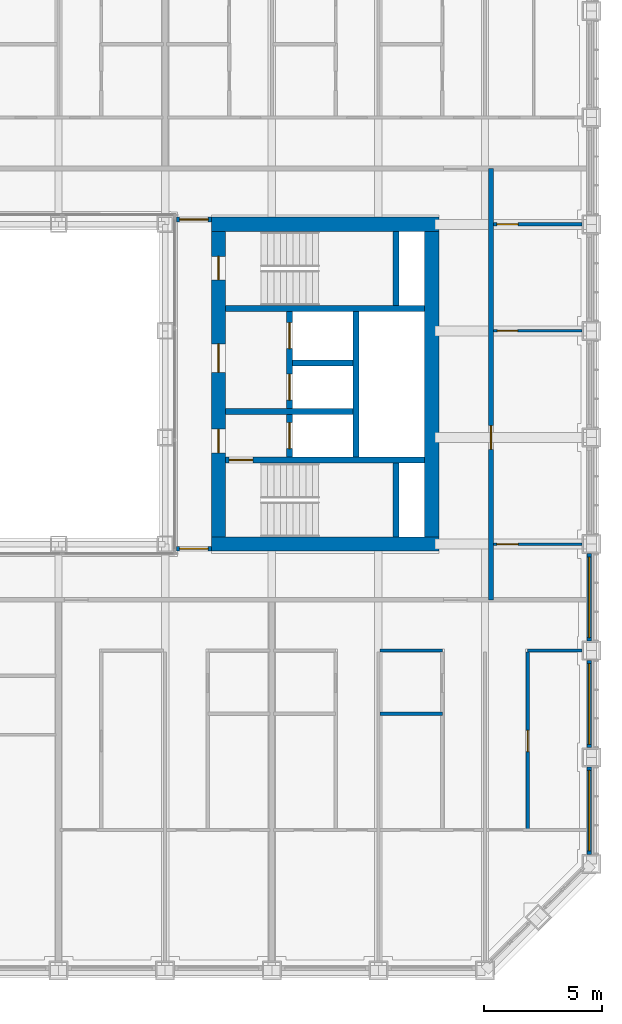
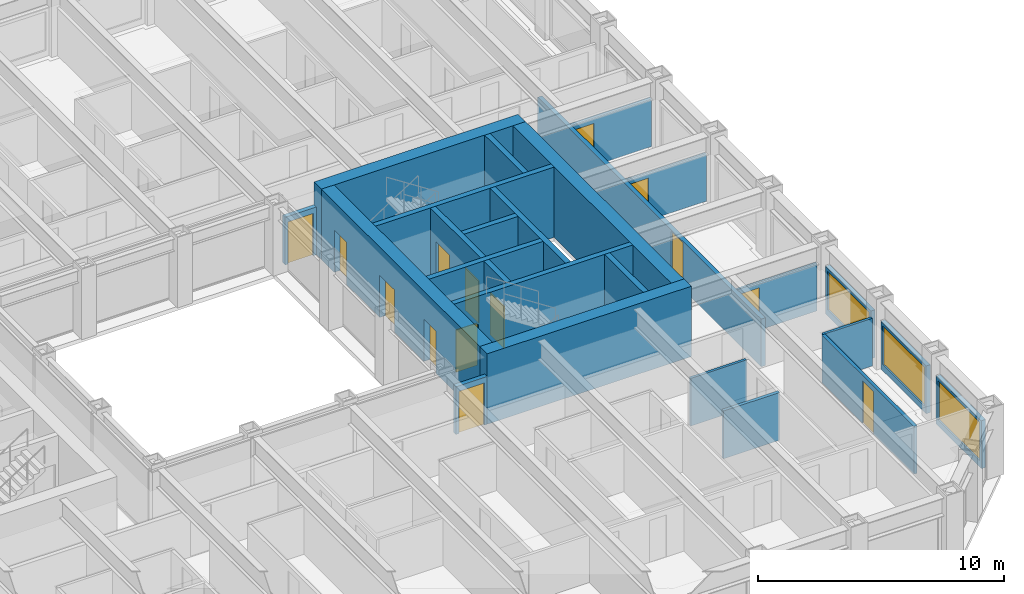
# One storey, part 12 of 21: 25 walls, 14 doors, 3 windows, 17 openings.
"""IFC4 building model written with IfcOpenShell, lengths in metres."""

from ifc_helpers import new_model, si_unit, direction, frame, frame_2d, origin, place, context, subcontext, project, spatial, rectangle, extrude, material, layer, layer_set, type_object, element, fill, save


model = new_model("IFC4")

# Units and contexts
model_context = context("Model", 3, precision=1e-05, world=origin(), true_north=direction((0.0, 1.0)))
body_context = subcontext(model_context, "Body", "Model", "MODEL_VIEW")
ifc_project = project(units=[si_unit("LENGTHUNIT", "METRE"), si_unit("AREAUNIT", "SQUARE_METRE"), si_unit("VOLUMEUNIT", "CUBIC_METRE"), si_unit("PLANEANGLEUNIT", "RADIAN"), si_unit("MASSUNIT", "GRAM", prefix="KILO")], contexts=[model_context])

# Site, building, storey
site_placement = place(None, origin())
site = spatial("IfcSite", under=ifc_project, at=site_placement, CompositionType="ELEMENT")
building_placement = place(site_placement, origin())
building = spatial("IfcBuilding", under=site, at=building_placement, Name="Msasa Ring Tower", CompositionType="ELEMENT")
storey_placement = place(building_placement, frame((0.0, 0.0, 68.5)))
storey = spatial("IfcBuildingStorey", under=building, at=storey_placement, Name="L17", CompositionType="ELEMENT", Elevation=68.5)

# Walls
ifc_material_1 = material(Name="Concrete C60/75", Category="concrete")
ifc_layer_1 = layer(ifc_material_1, 0.60009765625)
ifc_layer_set_1 = layer_set([ifc_layer_1], Name="CW1 CORE WALL 600")
wall_type_1 = type_object("IfcWallType", Name="CW1 CORE WALL 600", PredefinedType="SHEAR", material=ifc_layer_set_1)
for number, where, z_axis, x_axis, name in (
    (1, (8.699951171875, -6.75, 0.0), (0.0, 0.0, 1.0), (1.0, 0.0, 0.0), "E core wall S L17"),
    (2, (8.699951171875, 6.75, 0.0), (0.0, 0.0, 1.0), (1.0, 0.0, 0.0), "E core wall N L17"),
):
    element("IfcWall", number, at=place(storey_placement, frame(where, z_axis=z_axis, x_axis=x_axis)), inside=storey, type_object=wall_type_1, Name=name, PredefinedType="SHEAR", context=body_context, shape_type="SweptSolid", body=[
        extrude(rectangle(XDim=9.60009765625, YDim=0.60009765625, at=frame_2d((4.800048828125, 0.0))), origin(), (0.0, 0.0, 1.0), 3.5),
    ])

# Wall, openings, doors
wall_1_placement = place(storey_placement, frame((9.0, -6.449951171875, 0.0), z_axis=(0.0, 0.0, 1.0), x_axis=(0.0, 1.0, 0.0)))
wall_1 = element("IfcWall", 3, at=wall_1_placement, inside=storey, type_object=wall_type_1, Name="E core wall W L17", PredefinedType="SHEAR", context=body_context, shape_type="SweptSolid", body=[
    extrude(rectangle(XDim=12.89990234375, YDim=0.60009765625, at=frame_2d((6.449951171875, 0.0))), origin(), (0.0, 0.0, 1.0), 3.5),
])
opening_1_placement = place(wall_1_placement, frame((3.550048828125, 0.0, 0.0)))
opening_1 = element("IfcOpeningElement", 4, at=opening_1_placement, cuts=wall_1, Name="Opening RE-050", PredefinedType="OPENING", context=body_context, shape_type="SweptSolid", body=[
    extrude(rectangle(XDim=1.0, YDim=2.10009765625, at=frame_2d((0.5, 1.050048828125))), frame((0.0, 0.31005859375, 0.0), z_axis=(0.0, -1.0, 0.0), x_axis=(1.0, 0.0, 0.0)), (0.0, 0.0, 1.0), 0.6201171875),
])
opening_2_placement = place(wall_1_placement, frame((6.949951171875, 0.0, 0.0)))
opening_2 = element("IfcOpeningElement", 5, at=opening_2_placement, cuts=wall_1, Name="Opening RE-045", PredefinedType="OPENING", context=body_context, shape_type="SweptSolid", body=[
    extrude(rectangle(XDim=1.199951171875, YDim=2.10009765625, at=frame_2d((0.60009765625, 1.050048828125))), frame((0.0, 0.31005859375, 0.0), z_axis=(0.0, -1.0, 0.0), x_axis=(1.0, 0.0, 0.0)), (0.0, 0.0, 1.0), 0.6201171875),
])
opening_3_placement = place(wall_1_placement, frame((10.85009765625, 0.0, 0.0)))
opening_3 = element("IfcOpeningElement", 6, at=opening_3_placement, cuts=wall_1, Name="Opening RE-041", PredefinedType="OPENING", context=body_context, shape_type="SweptSolid", body=[
    extrude(rectangle(XDim=1.0, YDim=2.10009765625, at=frame_2d((0.5, 1.050048828125))), frame((0.0, 0.31005859375, 0.0), z_axis=(0.0, -1.0, 0.0), x_axis=(1.0, 0.0, 0.0)), (0.0, 0.0, 1.0), 0.6201171875),
])
ifc_material_2 = material(Name="Timber door leaf in a steel frame", Category="steel")
door_type_1 = type_object("IfcDoorType", Name="D4 LOBBY DOOR 1000x2100", OperationType="SINGLE_SWING_LEFT", PredefinedType="DOOR", material=ifc_material_2)
door_1_placement = place(opening_1_placement, origin())
door_1 = element("IfcDoor", 7, at=door_1_placement, inside=storey, type_object=door_type_1, Name="Door L17-EFFL", OperationType="SINGLE_SWING_LEFT", OverallHeight=2.10009765625, OverallWidth=1.0, PredefinedType="DOOR", context=body_context, shape_type="SweptSolid", body=[
    extrude(rectangle(XDim=1.0, YDim=2.10009765625, at=frame_2d((0.5, 1.050048828125))), frame((0.0, 0.02490234375, 0.0), z_axis=(0.0, -1.0, 0.0), x_axis=(1.0, 0.0, 0.0)), (0.0, 0.0, 1.0), 0.050048828125),
])
fill(opening_1, door_1)
ifc_material_3 = material(Name="Timber door leaf in a steel frame", Category="steel")
door_type_2 = type_object("IfcDoorType", Name="D5 WIDE LOBBY DOOR 1200x2100", OperationType="SINGLE_SWING_LEFT", PredefinedType="DOOR", material=ifc_material_3)
door_2_placement = place(opening_2_placement, origin())
door_2 = element("IfcDoor", 8, at=door_2_placement, inside=storey, type_object=door_type_2, Name="Door L17-ELL", OperationType="SINGLE_SWING_RIGHT", OverallHeight=2.10009765625, OverallWidth=1.199951171875, PredefinedType="DOOR", context=body_context, shape_type="SweptSolid", body=[
    extrude(rectangle(XDim=1.199951171875, YDim=2.10009765625, at=frame_2d((0.60009765625, 1.050048828125))), frame((0.0, 0.02490234375, 0.0), z_axis=(0.0, -1.0, 0.0), x_axis=(1.0, 0.0, 0.0)), (0.0, 0.0, 1.0), 0.050048828125),
])
fill(opening_2, door_2)
ifc_material_4 = material(Name="Timber door leaf in a steel frame", Category="steel")
door_type_3 = type_object("IfcDoorType", Name="D6 STAIR DOOR 1000x2100", OperationType="SINGLE_SWING_LEFT", PredefinedType="DOOR", material=ifc_material_4)
door_3_placement = place(opening_3_placement, origin())
door_3 = element("IfcDoor", 9, at=door_3_placement, inside=storey, type_object=door_type_3, Name="Door L17-ESTB", OperationType="SINGLE_SWING_RIGHT", OverallHeight=2.10009765625, OverallWidth=1.0, PredefinedType="DOOR", context=body_context, shape_type="SweptSolid", body=[
    extrude(rectangle(XDim=1.0, YDim=2.10009765625, at=frame_2d((0.5, 1.050048828125))), frame((0.0, 0.02490234375, 0.0), z_axis=(0.0, -1.0, 0.0), x_axis=(1.0, 0.0, 0.0)), (0.0, 0.0, 1.0), 0.050048828125),
])
fill(opening_3, door_3)

# Wall
wall_2_placement = place(storey_placement, frame((18.0, -6.449951171875, 0.0), z_axis=(0.0, 0.0, 1.0), x_axis=(0.0, 1.0, 0.0)))
element("IfcWall", 10, at=wall_2_placement, inside=storey, type_object=wall_type_1, Name="E core wall E L17", PredefinedType="SHEAR", context=body_context, shape_type="SweptSolid", body=[
    extrude(rectangle(XDim=12.89990234375, YDim=0.60009765625, at=frame_2d((6.449951171875, 0.0))), origin(), (0.0, 0.0, 1.0), 3.5),
])

# Wall, opening, door
ifc_material_5 = material(Name="Concrete C60/75", Category="concrete")
ifc_layer_2 = layer(ifc_material_5, 0.25)
ifc_layer_set_2 = layer_set([ifc_layer_2], Name="CW4 CORE INNER WALL 250")
wall_type_2 = type_object("IfcWallType", Name="CW4 CORE INNER WALL 250", PredefinedType="SHEAR", material=ifc_layer_set_2)
wall_3_placement = place(storey_placement, frame((9.300048828125, -3.199951171875, 0.0), z_axis=(0.0, 0.0, 1.0), x_axis=(1.0, 0.0, 0.0)))
wall_3 = element("IfcWall", 11, at=wall_3_placement, inside=storey, type_object=wall_type_2, Name="E core wall STAIRA L17", PredefinedType="SHEAR", context=body_context, shape_type="SweptSolid", body=[
    extrude(rectangle(XDim=8.39990234375, YDim=0.25, at=frame_2d((4.199951171875, 0.0))), origin(), (0.0, 0.0, 1.0), 3.5),
])
opening_4_placement = place(wall_3_placement, frame((0.14990234375, 0.0, 0.0)))
opening_4 = element("IfcOpeningElement", 12, at=opening_4_placement, cuts=wall_3, Name="Opening RE-052", PredefinedType="OPENING", context=body_context, shape_type="SweptSolid", body=[
    extrude(rectangle(XDim=1.0, YDim=2.10009765625, at=frame_2d((0.5, 1.050048828125))), frame((0.0, 0.135009765625, 0.0), z_axis=(0.0, -1.0, 0.0), x_axis=(1.0, 0.0, 0.0)), (0.0, 0.0, 1.0), 0.27001953125),
])
door_4_placement = place(opening_4_placement, origin())
door_4 = element("IfcDoor", 13, at=door_4_placement, inside=storey, type_object=door_type_3, Name="Door L17-ESTA", OperationType="SINGLE_SWING_LEFT", OverallHeight=2.10009765625, OverallWidth=1.0, PredefinedType="DOOR", context=body_context, shape_type="SweptSolid", body=[
    extrude(rectangle(XDim=1.0, YDim=2.10009765625, at=frame_2d((0.5, 1.050048828125))), frame((0.0, 0.02490234375, 0.0), z_axis=(0.0, -1.0, 0.0), x_axis=(1.0, 0.0, 0.0)), (0.0, 0.0, 1.0), 0.050048828125),
])
fill(opening_4, door_4)

# Walls
wall_4_placement = place(storey_placement, frame((9.300048828125, 3.199951171875, 0.0), z_axis=(0.0, 0.0, 1.0), x_axis=(1.0, 0.0, 0.0)))
element("IfcWall", 14, at=wall_4_placement, inside=storey, type_object=wall_type_2, Name="E core wall STAIRB L17", PredefinedType="SHEAR", context=body_context, shape_type="SweptSolid", body=[
    extrude(rectangle(XDim=8.39990234375, YDim=0.25, at=frame_2d((4.199951171875, 0.0))), origin(), (0.0, 0.0, 1.0), 3.5),
])
for number, where, z_axis, x_axis, name in (
    (15, (16.5, -6.449951171875, 0.0), (0.0, 0.0, 1.0), (0.0, 1.0, 0.0), "E core wall RISERA L17"),
    (16, (16.5, 3.324951171875, 0.0), (0.0, 0.0, 1.0), (0.0, 1.0, 0.0), "E core wall RISERB L17"),
):
    element("IfcWall", number, at=place(storey_placement, frame(where, z_axis=z_axis, x_axis=x_axis)), inside=storey, type_object=wall_type_2, Name=name, PredefinedType="SHEAR", context=body_context, shape_type="SweptSolid", body=[
        extrude(rectangle(XDim=3.125, YDim=0.25, at=frame_2d((1.5625, 0.0))), origin(), (0.0, 0.0, 1.0), 3.5),
    ])
wall_5_placement = place(storey_placement, frame((9.300048828125, -1.14990234375, 0.0), z_axis=(0.0, 0.0, 1.0), x_axis=(1.0, 0.0, 0.0)))
element("IfcWall", 17, at=wall_5_placement, inside=storey, type_object=wall_type_2, Name="E core wall FFL L17", PredefinedType="SHEAR", context=body_context, shape_type="SweptSolid", body=[
    extrude(rectangle(XDim=5.375, YDim=0.25, at=frame_2d((2.6875, 0.0))), origin(), (0.0, 0.0, 1.0), 3.5),
])

# Wall, openings, doors
wall_6_placement = place(storey_placement, frame((12.0, -3.074951171875, 0.0), z_axis=(0.0, 0.0, 1.0), x_axis=(0.0, 1.0, 0.0)))
wall_6 = element("IfcWall", 18, at=wall_6_placement, inside=storey, type_object=wall_type_2, Name="E core wall LOBBY L17", PredefinedType="SHEAR", context=body_context, shape_type="SweptSolid", body=[
    extrude(rectangle(XDim=6.14990234375, YDim=0.25, at=frame_2d((3.074951171875, 0.0))), origin(), (0.0, 0.0, 1.0), 3.5),
])
opening_5_placement = place(wall_6_placement, frame((0.35009765625, 0.0, 0.0)))
opening_5 = element("IfcOpeningElement", 19, at=opening_5_placement, cuts=wall_6, Name="Opening LD1", PredefinedType="OPENING", context=body_context, shape_type="SweptSolid", body=[
    extrude(rectangle(XDim=1.10009765625, YDim=2.10009765625, at=frame_2d((0.550048828125, 1.050048828125))), frame((0.0, 0.135009765625, 0.0), z_axis=(0.0, -1.0, 0.0), x_axis=(1.0, 0.0, 0.0)), (0.0, 0.0, 1.0), 0.27001953125),
])
opening_6_placement = place(wall_6_placement, frame((2.39990234375, 0.0, 0.0)))
opening_6 = element("IfcOpeningElement", 20, at=opening_6_placement, cuts=wall_6, Name="Opening LD1", PredefinedType="OPENING", context=body_context, shape_type="SweptSolid", body=[
    extrude(rectangle(XDim=1.10009765625, YDim=2.10009765625, at=frame_2d((0.550048828125, 1.050048828125))), frame((0.0, 0.135009765625, 0.0), z_axis=(0.0, -1.0, 0.0), x_axis=(1.0, 0.0, 0.0)), (0.0, 0.0, 1.0), 0.27001953125),
])
opening_7_placement = place(wall_6_placement, frame((4.574951171875, 0.0, 0.0)))
opening_7 = element("IfcOpeningElement", 21, at=opening_7_placement, cuts=wall_6, Name="Opening LD1", PredefinedType="OPENING", context=body_context, shape_type="SweptSolid", body=[
    extrude(rectangle(XDim=1.10009765625, YDim=2.10009765625, at=frame_2d((0.550048828125, 1.050048828125))), frame((0.0, 0.135009765625, 0.0), z_axis=(0.0, -1.0, 0.0), x_axis=(1.0, 0.0, 0.0)), (0.0, 0.0, 1.0), 0.27001953125),
])
ifc_material_6 = material(Name="Stainless steel lift landing door", Category="steel")
door_type_4 = type_object("IfcDoorType", Name="LD1 LIFT LANDING DOOR 1100x2100", OperationType="DOUBLE_DOOR_SLIDING", PredefinedType="DOOR", material=ifc_material_6)
door_5_placement = place(opening_5_placement, origin())
door_5 = element("IfcDoor", 22, at=door_5_placement, inside=storey, type_object=door_type_4, Name="Lift landing door FL-E L17", OperationType="DOUBLE_DOOR_SLIDING", OverallHeight=2.10009765625, OverallWidth=1.10009765625, PredefinedType="DOOR", context=body_context, shape_type="SweptSolid", body=[
    extrude(rectangle(XDim=1.10009765625, YDim=2.10009765625, at=frame_2d((0.550048828125, 1.050048828125))), frame((0.0, 0.02490234375, 0.0), z_axis=(0.0, -1.0, 0.0), x_axis=(1.0, 0.0, 0.0)), (0.0, 0.0, 1.0), 0.050048828125),
])
fill(opening_5, door_5)
door_6_placement = place(opening_6_placement, origin())
door_6 = element("IfcDoor", 23, at=door_6_placement, inside=storey, type_object=door_type_4, Name="Lift landing door PL-R1 L17", OperationType="DOUBLE_DOOR_SLIDING", OverallHeight=2.10009765625, OverallWidth=1.10009765625, PredefinedType="DOOR", context=body_context, shape_type="SweptSolid", body=[
    extrude(rectangle(XDim=1.10009765625, YDim=2.10009765625, at=frame_2d((0.550048828125, 1.050048828125))), frame((0.0, 0.02490234375, 0.0), z_axis=(0.0, -1.0, 0.0), x_axis=(1.0, 0.0, 0.0)), (0.0, 0.0, 1.0), 0.050048828125),
])
fill(opening_6, door_6)
door_7_placement = place(opening_7_placement, origin())
door_7 = element("IfcDoor", 24, at=door_7_placement, inside=storey, type_object=door_type_4, Name="Lift landing door PL-R2 L17", OperationType="DOUBLE_DOOR_SLIDING", OverallHeight=2.10009765625, OverallWidth=1.10009765625, PredefinedType="DOOR", context=body_context, shape_type="SweptSolid", body=[
    extrude(rectangle(XDim=1.10009765625, YDim=2.10009765625, at=frame_2d((0.550048828125, 1.050048828125))), frame((0.0, 0.02490234375, 0.0), z_axis=(0.0, -1.0, 0.0), x_axis=(1.0, 0.0, 0.0)), (0.0, 0.0, 1.0), 0.050048828125),
])
fill(opening_7, door_7)

# Walls
wall_7_placement = place(storey_placement, frame((14.800048828125, -3.074951171875, 0.0), z_axis=(0.0, 0.0, 1.0), x_axis=(0.0, 1.0, 0.0)))
element("IfcWall", 25, at=wall_7_placement, inside=storey, type_object=wall_type_2, Name="E core wall SHAFT L17", PredefinedType="SHEAR", context=body_context, shape_type="SweptSolid", body=[
    extrude(rectangle(XDim=6.14990234375, YDim=0.25, at=frame_2d((3.074951171875, 0.0))), origin(), (0.0, 0.0, 1.0), 3.5),
])
wall_8_placement = place(storey_placement, frame((12.125, 0.89990234375, 0.0), z_axis=(0.0, 0.0, 1.0), x_axis=(1.0, 0.0, 0.0)))
element("IfcWall", 26, at=wall_8_placement, inside=storey, type_object=wall_type_2, Name="E core wall LIFT1 L17", PredefinedType="SHEAR", context=body_context, shape_type="SweptSolid", body=[
    extrude(rectangle(XDim=2.550048828125, YDim=0.25, at=frame_2d((1.27490234375, 0.0))), origin(), (0.0, 0.0, 1.0), 3.5),
])

# Wall, opening, window
ifc_material_7 = material(Name="Terracotta rainscreen on blockwork", Category="masonry")
ifc_layer_3 = layer(ifc_material_7, 0.199951171875)
ifc_layer_set_3 = layer_set([ifc_layer_3], Name="FW1 TERRACOTTA-LINED INFILL BAY WALL 200")
wall_type_3 = type_object("IfcWallType", Name="FW1 TERRACOTTA-LINED INFILL BAY WALL 200", PredefinedType="SOLIDWALL", material=ifc_layer_set_3)
wall_9_placement = place(storey_placement, frame((24.64990234375, -19.844970703125, 0.0), z_axis=(0.0, 0.0, 1.0), x_axis=(0.0, 1.0, 0.0)))
wall_9 = element("IfcWall", 27, at=wall_9_placement, inside=storey, type_object=wall_type_3, Name="Infill bay wall E L17 11", PredefinedType="SOLIDWALL", context=body_context, shape_type="SweptSolid", body=[
    extrude(rectangle(XDim=3.68994140625, YDim=0.199951171875, at=frame_2d((1.844970703125, 0.0))), origin(), (0.0, 0.0, 1.0), 2.37890625),
])
opening_8_placement = place(wall_9_placement, frame((0.14501953125, 0.0, 0.300048828125)))
opening_8 = element("IfcOpeningElement", 28, at=opening_8_placement, cuts=wall_9, Name="Opening WN1", PredefinedType="OPENING", context=body_context, shape_type="SweptSolid", body=[
    extrude(rectangle(XDim=3.39990234375, YDim=1.928955078125, at=frame_2d((1.699951171875, 0.96435546875))), frame((0.0, 0.10986328125, 0.0), z_axis=(0.0, -1.0, 0.0), x_axis=(1.0, 0.0, 0.0)), (0.0, 0.0, 1.0), 0.219970703125),
])
ifc_material_8 = material(Name="Aluminium frame with clear glass", Category="aluminium")
window_type = type_object("IfcWindowType", Name="WN1 RESIDENCE WINDOW 3400x1929", PartitioningType="SINGLE_PANEL", PredefinedType="WINDOW", material=ifc_material_8)
window_1_placement = place(opening_8_placement, origin())
window_1 = element("IfcWindow", 29, at=window_1_placement, inside=storey, type_object=window_type, Name="Window E L17 11", OverallHeight=1.928955078125, OverallWidth=3.39990234375, PartitioningType="SINGLE_PANEL", PredefinedType="WINDOW", context=body_context, shape_type="SweptSolid", body=[
    extrude(rectangle(XDim=3.39990234375, YDim=1.928955078125, at=frame_2d((1.699951171875, 0.96435546875))), frame((0.0, 0.030029296875, 0.0), z_axis=(0.0, -1.0, 0.0), x_axis=(1.0, 0.0, 0.0)), (0.0, 0.0, 1.0), 0.06005859375),
])
fill(opening_8, window_1)

wall_10_placement = place(storey_placement, frame((24.64990234375, -15.344970703125, 0.0), z_axis=(0.0, 0.0, 1.0), x_axis=(0.0, 1.0, 0.0)))
wall_10 = element("IfcWall", 30, at=wall_10_placement, inside=storey, type_object=wall_type_3, Name="Infill bay wall E L17 12", PredefinedType="SOLIDWALL", context=body_context, shape_type="SweptSolid", body=[
    extrude(rectangle(XDim=3.68994140625, YDim=0.199951171875, at=frame_2d((1.844970703125, 0.0))), origin(), (0.0, 0.0, 1.0), 2.37890625),
])
opening_9_placement = place(wall_10_placement, frame((0.14501953125, 0.0, 0.300048828125)))
opening_9 = element("IfcOpeningElement", 31, at=opening_9_placement, cuts=wall_10, Name="Opening WN1", PredefinedType="OPENING", context=body_context, shape_type="SweptSolid", body=[
    extrude(rectangle(XDim=3.39990234375, YDim=1.928955078125, at=frame_2d((1.699951171875, 0.96435546875))), frame((0.0, 0.10986328125, 0.0), z_axis=(0.0, -1.0, 0.0), x_axis=(1.0, 0.0, 0.0)), (0.0, 0.0, 1.0), 0.219970703125),
])
window_2_placement = place(opening_9_placement, origin())
window_2 = element("IfcWindow", 32, at=window_2_placement, inside=storey, type_object=window_type, Name="Window E L17 12", OverallHeight=1.928955078125, OverallWidth=3.39990234375, PartitioningType="SINGLE_PANEL", PredefinedType="WINDOW", context=body_context, shape_type="SweptSolid", body=[
    extrude(rectangle(XDim=3.39990234375, YDim=1.928955078125, at=frame_2d((1.699951171875, 0.96435546875))), frame((0.0, 0.030029296875, 0.0), z_axis=(0.0, -1.0, 0.0), x_axis=(1.0, 0.0, 0.0)), (0.0, 0.0, 1.0), 0.06005859375),
])
fill(opening_9, window_2)

wall_11_placement = place(storey_placement, frame((24.64990234375, -10.844970703125, 0.0), z_axis=(0.0, 0.0, 1.0), x_axis=(0.0, 1.0, 0.0)))
wall_11 = element("IfcWall", 33, at=wall_11_placement, inside=storey, type_object=wall_type_3, Name="Infill bay wall E L17 13", PredefinedType="SOLIDWALL", context=body_context, shape_type="SweptSolid", body=[
    extrude(rectangle(XDim=3.68994140625, YDim=0.199951171875, at=frame_2d((1.844970703125, 0.0))), origin(), (0.0, 0.0, 1.0), 2.37890625),
])
opening_10_placement = place(wall_11_placement, frame((0.14501953125, 0.0, 0.300048828125)))
opening_10 = element("IfcOpeningElement", 34, at=opening_10_placement, cuts=wall_11, Name="Opening WN1", PredefinedType="OPENING", context=body_context, shape_type="SweptSolid", body=[
    extrude(rectangle(XDim=3.39990234375, YDim=1.928955078125, at=frame_2d((1.699951171875, 0.96435546875))), frame((0.0, 0.10986328125, 0.0), z_axis=(0.0, -1.0, 0.0), x_axis=(1.0, 0.0, 0.0)), (0.0, 0.0, 1.0), 0.219970703125),
])
window_3_placement = place(opening_10_placement, origin())
window_3 = element("IfcWindow", 35, at=window_3_placement, inside=storey, type_object=window_type, Name="Window E L17 13", OverallHeight=1.928955078125, OverallWidth=3.39990234375, PartitioningType="SINGLE_PANEL", PredefinedType="WINDOW", context=body_context, shape_type="SweptSolid", body=[
    extrude(rectangle(XDim=3.39990234375, YDim=1.928955078125, at=frame_2d((1.699951171875, 0.96435546875))), frame((0.0, 0.030029296875, 0.0), z_axis=(0.0, -1.0, 0.0), x_axis=(1.0, 0.0, 0.0)), (0.0, 0.0, 1.0), 0.06005859375),
])
fill(opening_10, window_3)

# Wall, opening, door
ifc_material_9 = material(Name="Concrete blockwork", Category="masonry")
ifc_layer_4 = layer(ifc_material_9, 0.199951171875)
ifc_layer_set_4 = layer_set([ifc_layer_4], Name="PT1 CORRIDOR WALL 200")
wall_type_4 = type_object("IfcWallType", Name="PT1 CORRIDOR WALL 200", PredefinedType="PARTITIONING", material=ifc_layer_set_4)
wall_12_placement = place(storey_placement, frame((7.22998046875, 6.949951171875, 0.0), z_axis=(0.0, 0.0, 1.0), x_axis=(1.0, 0.0, 0.0)))
wall_12 = element("IfcWall", 36, at=wall_12_placement, inside=storey, type_object=wall_type_4, Name="Corridor wall L17-SDEN", PredefinedType="PARTITIONING", context=body_context, shape_type="SweptSolid", body=[
    extrude(rectangle(XDim=1.469970703125, YDim=0.199951171875, at=frame_2d((0.73486328125, 0.0))), origin(), (0.0, 0.0, 1.0), 2.373291015625),
])
opening_11_placement = place(wall_12_placement, frame((0.135009765625, 0.0, 0.0)))
opening_11 = element("IfcOpeningElement", 37, at=opening_11_placement, cuts=wall_12, Name="Opening RE-037", PredefinedType="OPENING", context=body_context, shape_type="SweptSolid", body=[
    extrude(rectangle(XDim=1.199951171875, YDim=2.10009765625, at=frame_2d((0.60009765625, 1.050048828125))), frame((0.0, 0.10986328125, 0.0), z_axis=(0.0, -1.0, 0.0), x_axis=(1.0, 0.0, 0.0)), (0.0, 0.0, 1.0), 0.219970703125),
])
ifc_material_10 = material(Name="Timber door leaf in a steel frame", Category="steel")
door_type_5 = type_object("IfcDoorType", Name="D25 CORRIDOR PAIR OF SMOKE DOORS 1200x2100", OperationType="DOUBLE_DOOR_DOUBLE_SWING", PredefinedType="DOOR", material=ifc_material_10)
door_8_placement = place(opening_11_placement, origin())
door_8 = element("IfcDoor", 38, at=door_8_placement, inside=storey, type_object=door_type_5, Name="Door L17-SDEN", OperationType="DOUBLE_DOOR_DOUBLE_SWING", OverallHeight=2.10009765625, OverallWidth=1.199951171875, PredefinedType="DOOR", context=body_context, shape_type="SweptSolid", body=[
    extrude(rectangle(XDim=1.199951171875, YDim=2.10009765625, at=frame_2d((0.60009765625, 1.050048828125))), frame((0.0, 0.02490234375, 0.0), z_axis=(0.0, -1.0, 0.0), x_axis=(1.0, 0.0, 0.0)), (0.0, 0.0, 1.0), 0.050048828125),
])
fill(opening_11, door_8)

wall_13_placement = place(storey_placement, frame((7.22998046875, -6.949951171875, 0.0), z_axis=(0.0, 0.0, 1.0), x_axis=(1.0, 0.0, 0.0)))
wall_13 = element("IfcWall", 39, at=wall_13_placement, inside=storey, type_object=wall_type_4, Name="Corridor wall L17-SDES", PredefinedType="PARTITIONING", context=body_context, shape_type="SweptSolid", body=[
    extrude(rectangle(XDim=1.469970703125, YDim=0.199951171875, at=frame_2d((0.73486328125, 0.0))), origin(), (0.0, 0.0, 1.0), 2.373291015625),
])
opening_12_placement = place(wall_13_placement, frame((0.135009765625, 0.0, 0.0)))
opening_12 = element("IfcOpeningElement", 40, at=opening_12_placement, cuts=wall_13, Name="Opening RE-055", PredefinedType="OPENING", context=body_context, shape_type="SweptSolid", body=[
    extrude(rectangle(XDim=1.199951171875, YDim=2.10009765625, at=frame_2d((0.60009765625, 1.050048828125))), frame((0.0, 0.10986328125, 0.0), z_axis=(0.0, -1.0, 0.0), x_axis=(1.0, 0.0, 0.0)), (0.0, 0.0, 1.0), 0.219970703125),
])
door_9_placement = place(opening_12_placement, origin())
door_9 = element("IfcDoor", 41, at=door_9_placement, inside=storey, type_object=door_type_5, Name="Door L17-SDES", OperationType="DOUBLE_DOOR_DOUBLE_SWING", OverallHeight=2.10009765625, OverallWidth=1.199951171875, PredefinedType="DOOR", context=body_context, shape_type="SweptSolid", body=[
    extrude(rectangle(XDim=1.199951171875, YDim=2.10009765625, at=frame_2d((0.60009765625, 1.050048828125))), frame((0.0, 0.02490234375, 0.0), z_axis=(0.0, -1.0, 0.0), x_axis=(1.0, 0.0, 0.0)), (0.0, 0.0, 1.0), 0.050048828125),
])
fill(opening_12, door_9)

wall_14_placement = place(storey_placement, frame((20.5, -9.10009765625, 0.0), z_axis=(0.0, 0.0, 1.0), x_axis=(0.0, 1.0, 0.0)))
wall_14 = element("IfcWall", 42, at=wall_14_placement, inside=storey, type_object=wall_type_4, Name="Corridor wall L17-STRE", PredefinedType="PARTITIONING", context=body_context, shape_type="SweptSolid", body=[
    extrude(rectangle(XDim=18.2001953125, YDim=0.199951171875, at=frame_2d((9.10009765625, 0.0))), origin(), (0.0, 0.0, 1.0), 2.373291015625),
])
opening_13_placement = place(wall_14_placement, frame((6.35009765625, 0.0, 0.0)))
opening_13 = element("IfcOpeningElement", 43, at=opening_13_placement, cuts=wall_14, Name="Opening RE-048", PredefinedType="OPENING", context=body_context, shape_type="SweptSolid", body=[
    extrude(rectangle(XDim=1.0, YDim=2.300048828125, at=frame_2d((0.5, 1.14990234375))), frame((0.0, 0.10986328125, 0.0), z_axis=(0.0, -1.0, 0.0), x_axis=(1.0, 0.0, 0.0)), (0.0, 0.0, 1.0), 0.219970703125),
])
ifc_material_11 = material(Name="Timber door leaf in a steel frame", Category="steel")
door_type_6 = type_object("IfcDoorType", Name="D16 UPPER RESIDENCE ENTRANCE DOOR 1000x2300", OperationType="SINGLE_SWING_LEFT", PredefinedType="DOOR", material=ifc_material_11)
door_10_placement = place(opening_13_placement, origin())
door_10 = element("IfcDoor", 44, at=door_10_placement, inside=storey, type_object=door_type_6, Name="Door L17-STE", OperationType="SINGLE_SWING_LEFT", OverallHeight=2.300048828125, OverallWidth=1.0, PredefinedType="DOOR", context=body_context, shape_type="SweptSolid", body=[
    extrude(rectangle(XDim=1.0, YDim=2.300048828125, at=frame_2d((0.5, 1.14990234375))), frame((0.0, 0.02490234375, 0.0), z_axis=(0.0, -1.0, 0.0), x_axis=(1.0, 0.0, 0.0)), (0.0, 0.0, 1.0), 0.050048828125),
])
fill(opening_13, door_10)

ifc_material_12 = material(Name="Gypsum board on steel studs", Category="steel")
ifc_layer_5 = layer(ifc_material_12, 0.10009765625)
ifc_layer_set_5 = layer_set([ifc_layer_5], Name="PT2 STUD PARTITION 100")
wall_type_5 = type_object("IfcWallType", Name="PT2 STUD PARTITION 100", PredefinedType="PARTITIONING", material=ifc_layer_set_5)
wall_15_placement = place(storey_placement, frame((20.60009765625, -6.75, 0.0), z_axis=(0.0, 0.0, 1.0), x_axis=(1.0, 0.0, 0.0)))
wall_15 = element("IfcWall", 45, at=wall_15_placement, inside=storey, type_object=wall_type_5, Name="Partition L17-STEKY", PredefinedType="PARTITIONING", context=body_context, shape_type="SweptSolid", body=[
    extrude(rectangle(XDim=3.75, YDim=0.10009765625, at=frame_2d((1.875, 0.0))), origin(), (0.0, 0.0, 1.0), 2.373291015625),
])
opening_14_placement = place(wall_15_placement, frame((0.14990234375, 0.0, 0.0)))
opening_14 = element("IfcOpeningElement", 46, at=opening_14_placement, cuts=wall_15, Name="Opening RE-054", PredefinedType="OPENING", context=body_context, shape_type="SweptSolid", body=[
    extrude(rectangle(XDim=0.89990234375, YDim=2.10009765625, at=frame_2d((0.449951171875, 1.050048828125))), frame((0.0, 0.06005859375, 0.0), z_axis=(0.0, -1.0, 0.0), x_axis=(1.0, 0.0, 0.0)), (0.0, 0.0, 1.0), 0.1201171875),
])
ifc_material_13 = material(Name="Timber door leaf in a steel frame", Category="steel")
door_type_7 = type_object("IfcDoorType", Name="D22 INTERNAL HALL DOOR 900x2100", OperationType="SINGLE_SWING_LEFT", PredefinedType="DOOR", material=ifc_material_13)
door_11_placement = place(opening_14_placement, origin())
door_11 = element("IfcDoor", 47, at=door_11_placement, inside=storey, type_object=door_type_7, Name="Door L17-STEK", OperationType="SINGLE_SWING_LEFT", OverallHeight=2.10009765625, OverallWidth=0.89990234375, PredefinedType="DOOR", context=body_context, shape_type="SweptSolid", body=[
    extrude(rectangle(XDim=0.89990234375, YDim=2.10009765625, at=frame_2d((0.449951171875, 1.050048828125))), frame((0.0, 0.02490234375, 0.0), z_axis=(0.0, -1.0, 0.0), x_axis=(1.0, 0.0, 0.0)), (0.0, 0.0, 1.0), 0.050048828125),
])
fill(opening_14, door_11)

wall_16_placement = place(storey_placement, frame((20.60009765625, 2.25, 0.0), z_axis=(0.0, 0.0, 1.0), x_axis=(1.0, 0.0, 0.0)))
wall_16 = element("IfcWall", 48, at=wall_16_placement, inside=storey, type_object=wall_type_5, Name="Partition L17-STERY", PredefinedType="PARTITIONING", context=body_context, shape_type="SweptSolid", body=[
    extrude(rectangle(XDim=3.75, YDim=0.10009765625, at=frame_2d((1.875, 0.0))), origin(), (0.0, 0.0, 1.0), 2.373291015625),
])
opening_15_placement = place(wall_16_placement, frame((0.175048828125, 0.0, 0.0)))
opening_15 = element("IfcOpeningElement", 49, at=opening_15_placement, cuts=wall_16, Name="Opening RE-043", PredefinedType="OPENING", context=body_context, shape_type="SweptSolid", body=[
    extrude(rectangle(XDim=0.85009765625, YDim=2.10009765625, at=frame_2d((0.425048828125, 1.050048828125))), frame((0.0, 0.06005859375, 0.0), z_axis=(0.0, -1.0, 0.0), x_axis=(1.0, 0.0, 0.0)), (0.0, 0.0, 1.0), 0.1201171875),
])
ifc_material_14 = material(Name="Timber door leaf in a steel frame", Category="steel")
door_type_8 = type_object("IfcDoorType", Name="D14 BEDROOM DOOR 850x2100", OperationType="SINGLE_SWING_LEFT", PredefinedType="DOOR", material=ifc_material_14)
door_12_placement = place(opening_15_placement, origin())
door_12 = element("IfcDoor", 50, at=door_12_placement, inside=storey, type_object=door_type_8, Name="Door L17-STER", OperationType="SINGLE_SWING_LEFT", OverallHeight=2.10009765625, OverallWidth=0.85009765625, PredefinedType="DOOR", context=body_context, shape_type="SweptSolid", body=[
    extrude(rectangle(XDim=0.85009765625, YDim=2.10009765625, at=frame_2d((0.425048828125, 1.050048828125))), frame((0.0, 0.02490234375, 0.0), z_axis=(0.0, -1.0, 0.0), x_axis=(1.0, 0.0, 0.0)), (0.0, 0.0, 1.0), 0.050048828125),
])
fill(opening_15, door_12)

ifc_material_15 = material(Name="Moisture-resistant board on steel studs with a concealed cistern and pipe void, tiled", Category="steel")
ifc_layer_6 = layer(ifc_material_15, 0.14990234375)
ifc_layer_set_6 = layer_set([ifc_layer_6], Name="PT4 BATHROOM WET WALL 150")
wall_type_6 = type_object("IfcWallType", Name="PT4 BATHROOM WET WALL 150", PredefinedType="PARTITIONING", material=ifc_layer_set_6)
wall_17_placement = place(storey_placement, frame((22.050048828125, -18.8125, 0.0), z_axis=(0.0, 0.0, 1.0), x_axis=(0.0, 1.0, 0.0)))
wall_17 = element("IfcWall", 51, at=wall_17_placement, inside=storey, type_object=wall_type_6, Name="Partition L17-US04SX0", PredefinedType="PARTITIONING", context=body_context, shape_type="SweptSolid", body=[
    extrude(rectangle(XDim=7.5, YDim=0.14990234375, at=frame_2d((3.75, 0.0))), origin(), (0.0, 0.0, 1.0), 2.373291015625),
])
opening_16_placement = place(wall_17_placement, frame((3.300048828125, 0.0, 0.0)))
opening_16 = element("IfcOpeningElement", 52, at=opening_16_placement, cuts=wall_17, Name="Opening RE-072", PredefinedType="OPENING", context=body_context, shape_type="SweptSolid", body=[
    extrude(rectangle(XDim=0.89990234375, YDim=2.10009765625, at=frame_2d((0.449951171875, 1.050048828125))), frame((0.0, 0.0849609375, 0.0), z_axis=(0.0, -1.0, 0.0), x_axis=(1.0, 0.0, 0.0)), (0.0, 0.0, 1.0), 0.169921875),
])
door_13_placement = place(opening_16_placement, origin())
door_13 = element("IfcDoor", 53, at=door_13_placement, inside=storey, type_object=door_type_7, Name="Door L17-US04K", OperationType="SINGLE_SWING_LEFT", OverallHeight=2.10009765625, OverallWidth=0.89990234375, PredefinedType="DOOR", context=body_context, shape_type="SweptSolid", body=[
    extrude(rectangle(XDim=0.89990234375, YDim=2.10009765625, at=frame_2d((0.449951171875, 1.050048828125))), frame((0.0, 0.02490234375, 0.0), z_axis=(0.0, -1.0, 0.0), x_axis=(1.0, 0.0, 0.0)), (0.0, 0.0, 1.0), 0.050048828125),
])
fill(opening_16, door_13)

# Wall
wall_18_placement = place(storey_placement, frame((15.8125, -13.91259765625, 0.0), z_axis=(0.0, 0.0, 1.0), x_axis=(1.0, 0.0, 0.0)))
element("IfcWall", 54, at=wall_18_placement, inside=storey, type_object=wall_type_6, Name="Partition L17-US04SB1", PredefinedType="PARTITIONING", context=body_context, shape_type="SweptSolid", body=[
    extrude(rectangle(XDim=2.637451171875, YDim=0.14990234375, at=frame_2d((1.31884765625, 0.0))), origin(), (0.0, 0.0, 1.0), 2.373291015625),
])

# Wall, opening, door
wall_19_placement = place(storey_placement, frame((20.60009765625, 6.75, 0.0), z_axis=(0.0, 0.0, 1.0), x_axis=(1.0, 0.0, 0.0)))
wall_19 = element("IfcWall", 55, at=wall_19_placement, inside=storey, type_object=wall_type_6, Name="Partition L17-STEBY", PredefinedType="PARTITIONING", context=body_context, shape_type="SweptSolid", body=[
    extrude(rectangle(XDim=3.75, YDim=0.14990234375, at=frame_2d((1.875, 0.0))), origin(), (0.0, 0.0, 1.0), 2.373291015625),
])
opening_17_placement = place(wall_19_placement, frame((0.14990234375, 0.0, 0.0)))
opening_17 = element("IfcOpeningElement", 56, at=opening_17_placement, cuts=wall_19, Name="Opening RE-039", PredefinedType="OPENING", context=body_context, shape_type="SweptSolid", body=[
    extrude(rectangle(XDim=0.89990234375, YDim=2.10009765625, at=frame_2d((0.449951171875, 1.050048828125))), frame((0.0, 0.0849609375, 0.0), z_axis=(0.0, -1.0, 0.0), x_axis=(1.0, 0.0, 0.0)), (0.0, 0.0, 1.0), 0.169921875),
])
ifc_material_16 = material(Name="Timber door leaf in a steel frame", Category="steel")
door_type_9 = type_object("IfcDoorType", Name="D3 BATHROOM DOOR 900x2100", OperationType="SINGLE_SWING_LEFT", PredefinedType="DOOR", material=ifc_material_16)
door_14_placement = place(opening_17_placement, origin())
door_14 = element("IfcDoor", 57, at=door_14_placement, inside=storey, type_object=door_type_9, Name="Door L17-STEB", OperationType="SINGLE_SWING_LEFT", OverallHeight=2.10009765625, OverallWidth=0.89990234375, PredefinedType="DOOR", context=body_context, shape_type="SweptSolid", body=[
    extrude(rectangle(XDim=0.89990234375, YDim=2.10009765625, at=frame_2d((0.449951171875, 1.050048828125))), frame((0.0, 0.02490234375, 0.0), z_axis=(0.0, -1.0, 0.0), x_axis=(1.0, 0.0, 0.0)), (0.0, 0.0, 1.0), 0.050048828125),
])
fill(opening_17, door_14)

# Walls
ifc_material_17 = material(Name="Two layers of acoustic board each face on steel studs, mineral wool", Category="steel")
ifc_layer_7 = layer(ifc_material_17, 0.125)
ifc_layer_set_7 = layer_set([ifc_layer_7], Name="PT6 ACOUSTIC DOUBLE-BOARD PARTITION 125")
wall_type_7 = type_object("IfcWallType", Name="PT6 ACOUSTIC DOUBLE-BOARD PARTITION 125", PredefinedType="PARTITIONING", material=ifc_layer_set_7)
wall_20_placement = place(storey_placement, frame((22.050048828125, -11.25, 0.0), z_axis=(0.0, 0.0, 1.0), x_axis=(1.0, 0.0, 0.0)))
element("IfcWall", 58, at=wall_20_placement, inside=storey, type_object=wall_type_7, Name="Partition L17-US04HY0", PredefinedType="PARTITIONING", context=body_context, shape_type="SweptSolid", body=[
    extrude(rectangle(XDim=2.300048828125, YDim=0.125, at=frame_2d((1.14990234375, 0.0))), origin(), (0.0, 0.0, 1.0), 2.373291015625),
])
wall_21_placement = place(storey_placement, frame((15.8173828125, -11.25, 0.0), z_axis=(0.0, 0.0, 1.0), x_axis=(1.0, 0.0, 0.0)))
element("IfcWall", 59, at=wall_21_placement, inside=storey, type_object=wall_type_7, Name="Partition L17-US04HY1", PredefinedType="PARTITIONING", context=body_context, shape_type="SweptSolid", body=[
    extrude(rectangle(XDim=2.632568359375, YDim=0.125, at=frame_2d((1.31640625, 0.0))), origin(), (0.0, 0.0, 1.0), 2.373291015625),
])

save(model, "model.ifc")
